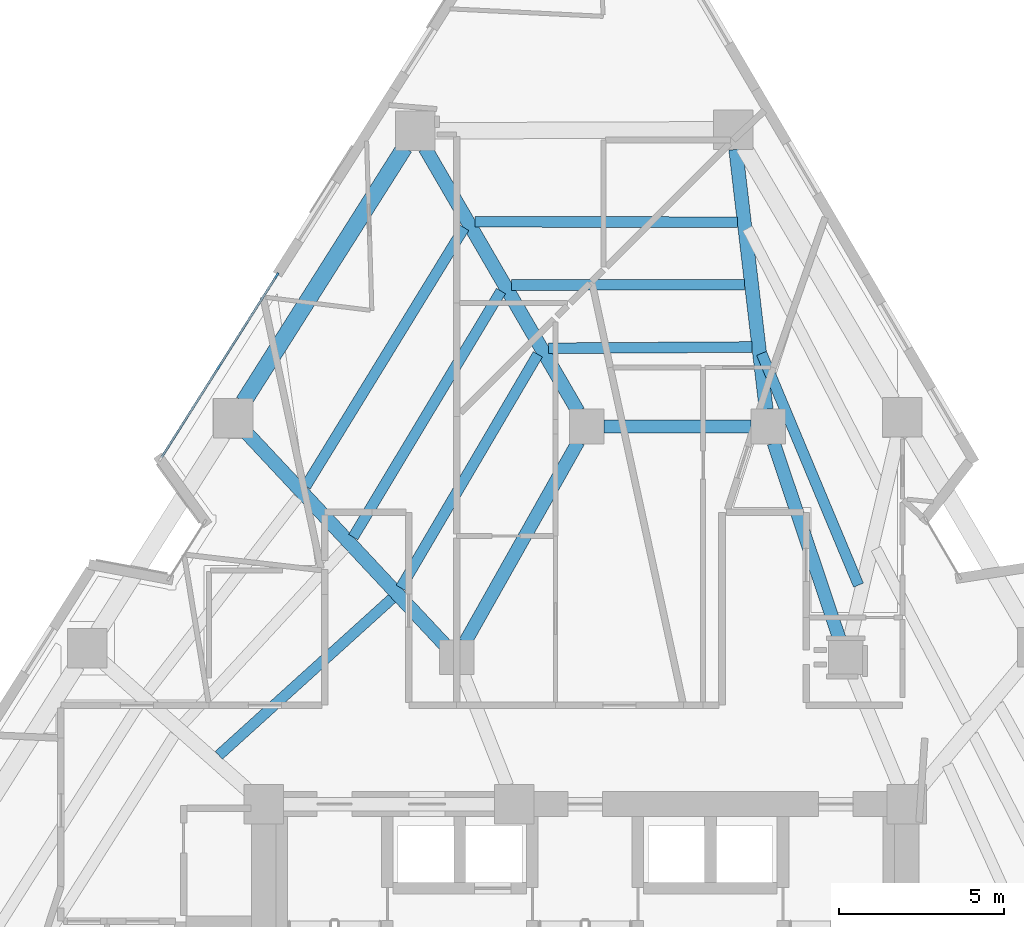
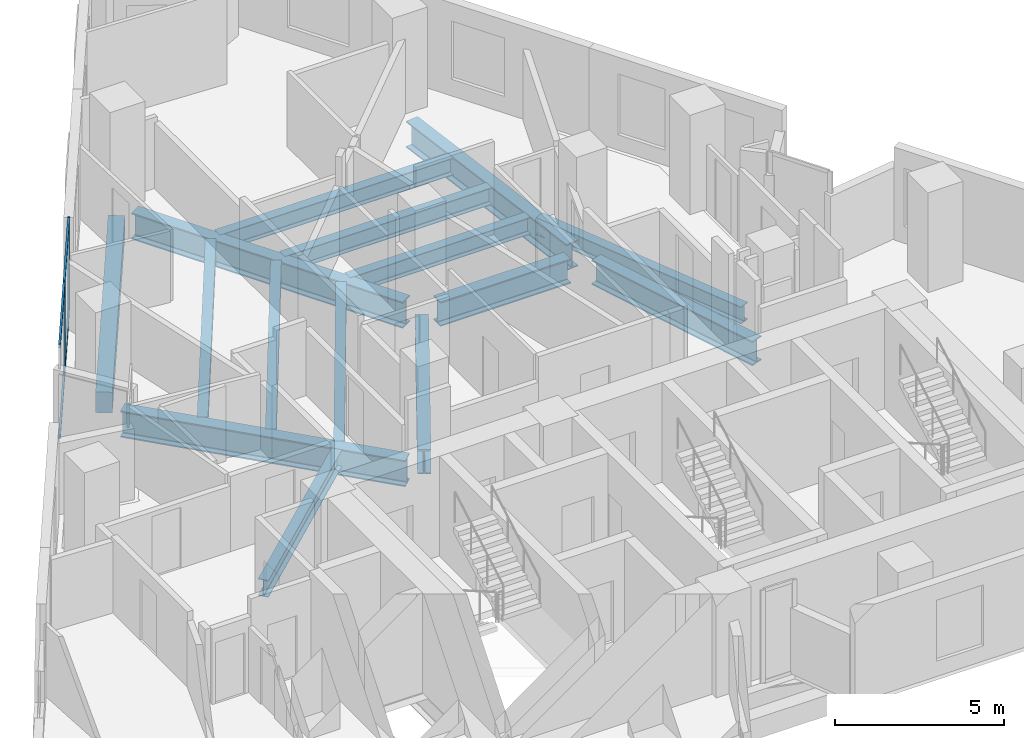
# One storey, part 3 of 12: 15 beams, 6 members, 1 element without a shape of its own.
"""IFC4 building model written with IfcOpenShell, lengths in metres."""

from ifc_helpers import new_model, si_unit, direction, frame, origin, origin_2d, place, context, subcontext, project, spatial, rectangle, i_section, extrude, material, layer, layer_set, material_profile, profile_set, type_object, element, aggregate, save


model = new_model("IFC4")

# Units and contexts
model_context = context("Model", 3, precision=1e-05, world=origin(), true_north=direction((0.0, 1.0)))
body_context = subcontext(model_context, "Body", "Model", "MODEL_VIEW")
ifc_project = project(units=[si_unit("LENGTHUNIT", "METRE"), si_unit("AREAUNIT", "SQUARE_METRE"), si_unit("VOLUMEUNIT", "CUBIC_METRE"), si_unit("PLANEANGLEUNIT", "RADIAN"), si_unit("MASSUNIT", "GRAM", prefix="KILO")], contexts=[model_context])

# Site, building, storey
site_placement = place(None, origin())
site = spatial("IfcSite", under=ifc_project, at=site_placement, CompositionType="ELEMENT")
building_placement = place(site_placement, origin())
building = spatial("IfcBuilding", under=site, at=building_placement, Name="Almagre Mirador Tower", CompositionType="ELEMENT")
storey_placement = place(building_placement, frame((0.0, 0.0, 114.0)))
storey = spatial("IfcBuildingStorey", under=building, at=storey_placement, Name="L28", CompositionType="ELEMENT", Elevation=114.0)

# Beams
ifc_material_1 = material(Name="Steel ASTM A992 Grade 50", Category="steel")
ifc_material_profile_1 = material_profile(ifc_material_1, i_section(OverallWidth=0.323974609375, OverallDepth=0.611083984375, WebThickness=0.0126953125, FlangeThickness=0.01904296875, FilletRadius=0.02001953125, at=origin_2d()), Name="W24X104")
ifc_profile_set_1 = profile_set([ifc_material_profile_1], Name="Steel ASTM A992 Grade 50")
beam_type_1 = type_object("IfcBeamType", Name="BM-JST-W24X104", PredefinedType="JOIST", material=ifc_profile_set_1)
beam_1_placement = place(storey_placement, frame((45.589111328125, 21.390380859375, -0.555419921875), z_axis=(-0.385893914422, 0.922543162574, 0.0), x_axis=(-0.922543162574, -0.385893914422, 0.0)))
element("IfcBeam", 1, at=beam_1_placement, inside=storey, type_object=beam_type_1, Name="L28 secondary floor joist PC07-PC08.3", PredefinedType="JOIST", context=body_context, shape_type="SweptSolid", body=[
    extrude(i_section(OverallWidth=0.323974609375, OverallDepth=0.611083984375, WebThickness=0.0126953125, FlangeThickness=0.01904296875, FilletRadius=0.02001953125, at=origin_2d()), origin(), (0.0, 0.0, 1.0), 7.617919921875),
])
beam_2_placement = place(storey_placement, frame((41.913330078125, 32.397216796875, -0.555419921875), z_axis=(-0.999998960599, 0.001441804747, 0.0), x_axis=(-0.001441804747, -0.999998960599, 0.0)))
element("IfcBeam", 2, at=beam_2_placement, inside=storey, type_object=beam_type_1, Name="L28 secondary floor joist PC08-PC09.1", PredefinedType="JOIST", context=body_context, shape_type="SweptSolid", body=[
    extrude(i_section(OverallWidth=0.323974609375, OverallDepth=0.611083984375, WebThickness=0.0126953125, FlangeThickness=0.01904296875, FilletRadius=0.02001953125, at=origin_2d()), origin(), (0.0, 0.0, 1.0), 7.95849609375),
])
beam_3_placement = place(storey_placement, frame((42.134765625, 30.504638671875, -0.555419921875), z_axis=(-0.99999819421, -0.00190041466, 0.0), x_axis=(0.00190041466, -0.99999819421, 0.0)))
element("IfcBeam", 3, at=beam_3_placement, inside=storey, type_object=beam_type_1, Name="L28 secondary floor joist PC08-PC09.2", PredefinedType="JOIST", context=body_context, shape_type="SweptSolid", body=[
    extrude(i_section(OverallWidth=0.323974609375, OverallDepth=0.611083984375, WebThickness=0.0126953125, FlangeThickness=0.01904296875, FilletRadius=0.02001953125, at=origin_2d()), origin(), (0.0, 0.0, 1.0), 7.065673828125),
])
beam_4_placement = place(storey_placement, frame((42.356201171875, 28.61181640625, -0.555419921875), z_axis=(-0.999980965144, -0.00617003641, 0.0), x_axis=(0.00617003641, -0.999980965144, 0.0)))
element("IfcBeam", 4, at=beam_4_placement, inside=storey, type_object=beam_type_1, Name="L28 secondary floor joist PC08-PC09.3", PredefinedType="JOIST", context=body_context, shape_type="SweptSolid", body=[
    extrude(i_section(OverallWidth=0.323974609375, OverallDepth=0.611083984375, WebThickness=0.0126953125, FlangeThickness=0.01904296875, FilletRadius=0.02001953125, at=origin_2d()), origin(), (0.0, 0.0, 1.0), 6.172607421875),
])
beam_5_placement = place(storey_placement, frame((33.6328125, 32.228759765625, -0.555419921875), z_axis=(-0.522787398252, -0.852463099629, 0.0), x_axis=(0.852463099629, -0.522787398252, 0.0)))
element("IfcBeam", 5, at=beam_5_placement, inside=storey, type_object=beam_type_1, Name="L28 secondary floor joist PC09-PC10.1", PredefinedType="JOIST", context=body_context, shape_type="SweptSolid", body=[
    extrude(i_section(OverallWidth=0.323974609375, OverallDepth=0.611083984375, WebThickness=0.0126953125, FlangeThickness=0.01904296875, FilletRadius=0.02001953125, at=origin_2d()), origin(), (0.0, 0.0, 1.0), 9.196044921875),
])
beam_6_placement = place(storey_placement, frame((34.748779296875, 30.309326171875, -0.555419921875), z_axis=(-0.515031881697, -0.857171021929, 0.0), x_axis=(0.857171021929, -0.515031881697, 0.0)))
element("IfcBeam", 6, at=beam_6_placement, inside=storey, type_object=beam_type_1, Name="L28 secondary floor joist PC09-PC10.2", PredefinedType="JOIST", context=body_context, shape_type="SweptSolid", body=[
    extrude(i_section(OverallWidth=0.323974609375, OverallDepth=0.611083984375, WebThickness=0.0126953125, FlangeThickness=0.01904296875, FilletRadius=0.02001953125, at=origin_2d()), origin(), (0.0, 0.0, 1.0), 8.7041015625),
])
beam_7_placement = place(storey_placement, frame((35.864990234375, 28.389892578125, -0.555419921875), z_axis=(-0.506354843964, -0.862325212431, 0.0), x_axis=(0.862325212431, -0.506354843964, 0.0)))
element("IfcBeam", 7, at=beam_7_placement, inside=storey, type_object=beam_type_1, Name="L28 secondary floor joist PC09-PC10.3", PredefinedType="JOIST", context=body_context, shape_type="SweptSolid", body=[
    extrude(i_section(OverallWidth=0.323974609375, OverallDepth=0.611083984375, WebThickness=0.0126953125, FlangeThickness=0.01904296875, FilletRadius=0.02001953125, at=origin_2d()), origin(), (0.0, 0.0, 1.0), 8.212890625),
])
beam_8_placement = place(storey_placement, frame((31.4423828125, 20.9833984375, -0.555419921875), z_axis=(-0.74150556393, -0.670946718199, 0.0), x_axis=(0.670946718199, -0.74150556393, 0.0)))
element("IfcBeam", 8, at=beam_8_placement, inside=storey, type_object=beam_type_1, Name="L28 secondary floor joist PC10-PC11.3", PredefinedType="JOIST", context=body_context, shape_type="SweptSolid", body=[
    extrude(i_section(OverallWidth=0.323974609375, OverallDepth=0.611083984375, WebThickness=0.0126953125, FlangeThickness=0.01904296875, FilletRadius=0.02001953125, at=origin_2d()), origin(), (0.0, 0.0, 1.0), 7.082763671875),
])
ifc_material_2 = material(Name="Precast concrete C50/60", Category="concrete")
ifc_material_profile_2 = material_profile(ifc_material_2, rectangle(XDim=0.5, YDim=0.75, at=origin_2d()), Name="RC500X750")
ifc_profile_set_2 = profile_set([ifc_material_profile_2], Name="Precast concrete C50/60")
beam_type_2 = type_object("IfcBeamType", Name="BM-SPN-RC500X750", PredefinedType="SPANDREL", material=ifc_profile_set_2)
beam_9_placement = place(storey_placement, frame((31.821044921875, 34.658935546875, -0.625), z_axis=(-0.534869929659, -0.844934410677, 0.0), x_axis=(0.844934410677, -0.534869929659, 0.0)))
element("IfcBeam", 9, at=beam_9_placement, inside=storey, type_object=beam_type_2, Name="L28 perimeter spandrel beam PC09-PC10", PredefinedType="SPANDREL", context=body_context, shape_type="SweptSolid", body=[
    extrude(rectangle(XDim=0.5, YDim=0.75, at=origin_2d()), origin(), (0.0, 0.0, 1.0), 9.120361328125),
])
ifc_material_3 = material(Name="Steel ASTM A992 Grade 50", Category="steel")
ifc_material_profile_3 = material_profile(ifc_material_3, i_section(OverallWidth=0.404052734375, OverallDepth=0.884033203125, WebThickness=0.0244140625, FlangeThickness=0.0439453125, FilletRadius=0.02490234375, at=origin_2d()), Name="W33X291")
ifc_profile_set_3 = profile_set([ifc_material_profile_3], Name="Steel ASTM A992 Grade 50")
beam_type_3 = type_object("IfcBeamType", Name="BM-STL-W33X291", PredefinedType="BEAM", material=ifc_profile_set_3)
beam_10_placement = place(storey_placement, frame((37.875, 26.199951171875, -0.69189453125), z_axis=(1.0, 0.0, 0.0), x_axis=(0.0, 1.0, 0.0)))
element("IfcBeam", 10, at=beam_10_placement, inside=storey, type_object=beam_type_3, Name="L28 core tie girder MC7-MC6", PredefinedType="BEAM", context=body_context, shape_type="SweptSolid", body=[
    extrude(i_section(OverallWidth=0.404052734375, OverallDepth=0.884033203125, WebThickness=0.0244140625, FlangeThickness=0.0439453125, FilletRadius=0.02490234375, at=origin_2d()), origin(), (0.0, 0.0, 1.0), 4.449951171875),
])
beam_11_placement = place(storey_placement, frame((43.01708984375, 25.702392578125, -0.69189453125), z_axis=(0.318262189587, -0.948002731367, 0.0), x_axis=(0.948002731367, 0.318262189587, 0.0)))
element("IfcBeam", 11, at=beam_11_placement, inside=storey, type_object=beam_type_3, Name="L28 core tie girder MC6-MC5", PredefinedType="BEAM", context=body_context, shape_type="SweptSolid", body=[
    extrude(i_section(OverallWidth=0.404052734375, OverallDepth=0.884033203125, WebThickness=0.0244140625, FlangeThickness=0.0439453125, FilletRadius=0.02490234375, at=origin_2d()), origin(), (0.0, 0.0, 1.0), 6.333984375),
])
beam_12_placement = place(storey_placement, frame((37.092041015625, 25.742919921875, -0.69189453125), z_axis=(-0.491443510044, -0.870909453638, 0.0), x_axis=(0.870909453638, -0.491443510044, 0.0)))
element("IfcBeam", 12, at=beam_12_placement, inside=storey, type_object=beam_type_3, Name="L28 core tie girder MC7-MC8", PredefinedType="BEAM", context=body_context, shape_type="SweptSolid", body=[
    extrude(i_section(OverallWidth=0.404052734375, OverallDepth=0.884033203125, WebThickness=0.0244140625, FlangeThickness=0.0439453125, FilletRadius=0.02490234375, at=origin_2d()), origin(), (0.0, 0.0, 1.0), 6.98779296875),
])
ifc_material_4 = material(Name="Steel ASTM A992 Grade 50", Category="steel")
ifc_material_profile_4 = material_profile(ifc_material_4, i_section(OverallWidth=0.423095703125, OverallDepth=0.947998046875, WebThickness=0.02392578125, FlangeThickness=0.042724609375, FilletRadius=0.028076171875, at=origin_2d()), Name="W36X302")
ifc_profile_set_4 = profile_set([ifc_material_profile_4], Name="Steel ASTM A992 Grade 50")
beam_type_4 = type_object("IfcBeamType", Name="BM-STL-W36X302", PredefinedType="BEAM", material=ifc_profile_set_4)
beam_13_placement = place(storey_placement, frame((41.86669921875, 34.60400390625, -0.72412109375), z_axis=(0.116220098543, -0.993223483761, 0.0), x_axis=(0.993223483761, 0.116220098543, 0.0)))
element("IfcBeam", 13, at=beam_13_placement, inside=storey, type_object=beam_type_4, Name="L28 radial floor girder PC08-MC6", PredefinedType="BEAM", context=body_context, shape_type="SweptSolid", body=[
    extrude(i_section(OverallWidth=0.423095703125, OverallDepth=0.947998046875, WebThickness=0.02392578125, FlangeThickness=0.042724609375, FilletRadius=0.028076171875, at=origin_2d()), origin(), (0.0, 0.0, 1.0), 7.936279296875),
])
beam_14_placement = place(storey_placement, frame((32.443359375, 34.647216796875, -0.72412109375), z_axis=(0.502267404593, -0.864712353493, 0.0), x_axis=(0.864712353493, 0.502267404593, 0.0)))
element("IfcBeam", 14, at=beam_14_placement, inside=storey, type_object=beam_type_4, Name="L28 radial floor girder PC09-MC7", PredefinedType="BEAM", context=body_context, shape_type="SweptSolid", body=[
    extrude(i_section(OverallWidth=0.423095703125, OverallDepth=0.947998046875, WebThickness=0.02392578125, FlangeThickness=0.042724609375, FilletRadius=0.028076171875, at=origin_2d()), origin(), (0.0, 0.0, 1.0), 9.24365234375),
])
beam_15_placement = place(storey_placement, frame((27.031982421875, 26.0078125, -0.72412109375), z_axis=(0.683137553651, -0.73028972524, 0.0), x_axis=(0.73028972524, 0.683137553651, 0.0)))
element("IfcBeam", 15, at=beam_15_placement, inside=storey, type_object=beam_type_4, Name="L28 radial floor girder PC10-MC8", PredefinedType="BEAM", context=body_context, shape_type="SweptSolid", body=[
    extrude(i_section(OverallWidth=0.423095703125, OverallDepth=0.947998046875, WebThickness=0.02392578125, FlangeThickness=0.042724609375, FilletRadius=0.028076171875, at=origin_2d()), origin(), (0.0, 0.0, 1.0), 8.796875),
])

# Curtain wall, members
ifc_material_5 = material(Name="Black anodized aluminium", Category="aluminium")
ifc_layer = layer(ifc_material_5, 0.199951171875)
ifc_layer_set = layer_set([ifc_layer], Name="Black anodized aluminium")
curtain_wall_type = type_object("IfcCurtainWallType", Name="CW-RES-H-SYS", PredefinedType="NOTDEFINED", material=ifc_layer_set)
curtain_wall_placement = place(storey_placement, origin())
curtain_wall = element("IfcCurtainWall", 16, at=curtain_wall_placement, inside=storey, type_object=curtain_wall_type, Name="L28 curtain wall run 02", PredefinedType="NOTDEFINED")
ifc_material_6 = material(Name="Black anodized aluminium", Category="aluminium")
ifc_material_profile_5 = material_profile(ifc_material_6, rectangle(XDim=0.06494140625, YDim=0.179931640625, at=origin_2d()), Name="CWM65X180")
ifc_profile_set_5 = profile_set([ifc_material_profile_5], Name="Black anodized aluminium")
member_type_1 = type_object("IfcMemberType", Name="MBR-CWM65X180", PredefinedType="MULLION", material=ifc_profile_set_5)
member_1_placement = place(storey_placement, frame((26.190185546875, 28.007568359375, 0.0), z_axis=(0.0, 0.0, 1.0), x_axis=(-0.844923540641, 0.534887100678, 0.0)))
member_1 = element("IfcMember", 17, at=member_1_placement, type_object=member_type_1, Name="CW-3 mullion 2", PredefinedType="MULLION", context=body_context, shape_type="SweptSolid", body=[
    extrude(rectangle(XDim=0.06494140625, YDim=0.179931640625, at=origin_2d()), origin(), (0.0, 0.0, 1.0), 3.35009765625),
])
member_2_placement = place(storey_placement, frame((27.947021484375, 30.782470703125, 0.0), z_axis=(0.0, 0.0, 1.0), x_axis=(-0.844923540641, 0.534887100678, 0.0)))
member_2 = element("IfcMember", 18, at=member_2_placement, type_object=member_type_1, Name="CW-3 mullion 3", PredefinedType="MULLION", context=body_context, shape_type="SweptSolid", body=[
    extrude(rectangle(XDim=0.06494140625, YDim=0.179931640625, at=origin_2d()), origin(), (0.0, 0.0, 1.0), 3.35009765625),
])
ifc_material_7 = material(Name="Black anodized aluminium", Category="aluminium")
ifc_material_profile_6 = material_profile(ifc_material_7, rectangle(XDim=0.06494140625, YDim=0.14990234375, at=origin_2d()), Name="CWT65X150")
ifc_profile_set_6 = profile_set([ifc_material_profile_6], Name="Black anodized aluminium")
member_type_2 = type_object("IfcMemberType", Name="MBR-CWT65X150", PredefinedType="USERDEFINED", material=ifc_profile_set_6)
member_3_placement = place(storey_placement, frame((24.45068359375, 25.260009765625, 0.032470703125), z_axis=(0.534945630196, 0.844886485117, 0.0), x_axis=(-0.844886485117, 0.534945630196, 0.0)))
member_3 = element("IfcMember", 19, at=member_3_placement, type_object=member_type_2, Name="CW-3 transom 1.1", ObjectType="TRANSOM", PredefinedType="USERDEFINED", context=body_context, shape_type="SweptSolid", body=[
    extrude(rectangle(XDim=0.06494140625, YDim=0.14990234375, at=origin_2d()), origin(), (0.0, 0.0, 1.0), 3.21923828125),
])
member_4_placement = place(storey_placement, frame((24.45068359375, 25.260009765625, 3.3173828125), z_axis=(0.534945630196, 0.844886485117, 0.0), x_axis=(-0.844886485117, 0.534945630196, 0.0)))
member_4 = element("IfcMember", 20, at=member_4_placement, type_object=member_type_2, Name="CW-3 transom 1.2", ObjectType="TRANSOM", PredefinedType="USERDEFINED", context=body_context, shape_type="SweptSolid", body=[
    extrude(rectangle(XDim=0.06494140625, YDim=0.14990234375, at=origin_2d()), origin(), (0.0, 0.0, 1.0), 3.21923828125),
])
member_5_placement = place(storey_placement, frame((26.20751953125, 28.034912109375, 0.032470703125), z_axis=(0.534857219873, 0.844942456236, 0.0), x_axis=(-0.844942456236, 0.534857219873, 0.0)))
member_5 = element("IfcMember", 21, at=member_5_placement, type_object=member_type_2, Name="CW-3 transom 2.1", ObjectType="TRANSOM", PredefinedType="USERDEFINED", context=body_context, shape_type="SweptSolid", body=[
    extrude(rectangle(XDim=0.06494140625, YDim=0.14990234375, at=origin_2d()), origin(), (0.0, 0.0, 1.0), 3.219482421875),
])
member_6_placement = place(storey_placement, frame((26.20751953125, 28.034912109375, 3.3173828125), z_axis=(0.534857219873, 0.844942456236, 0.0), x_axis=(-0.844942456236, 0.534857219873, 0.0)))
member_6 = element("IfcMember", 22, at=member_6_placement, type_object=member_type_2, Name="CW-3 transom 2.2", ObjectType="TRANSOM", PredefinedType="USERDEFINED", context=body_context, shape_type="SweptSolid", body=[
    extrude(rectangle(XDim=0.06494140625, YDim=0.14990234375, at=origin_2d()), origin(), (0.0, 0.0, 1.0), 3.219482421875),
])
aggregate(curtain_wall, [member_1, member_2, member_3, member_4, member_5, member_6])

save(model, "model.ifc")
